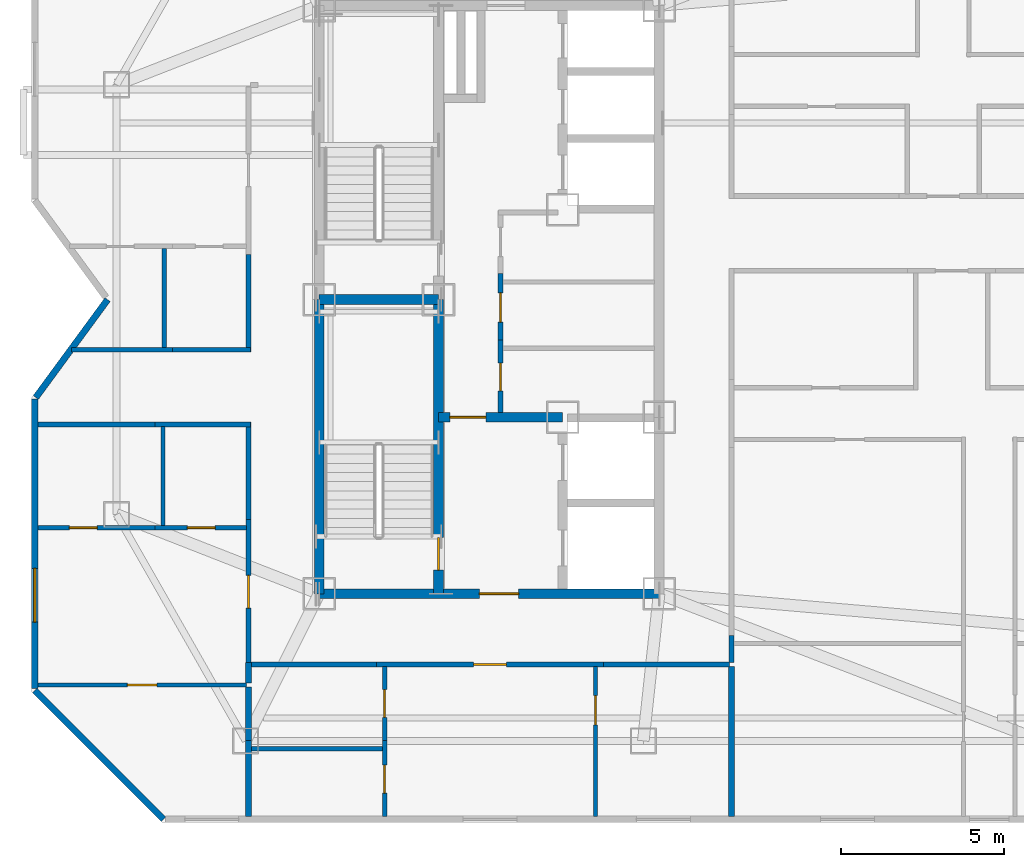
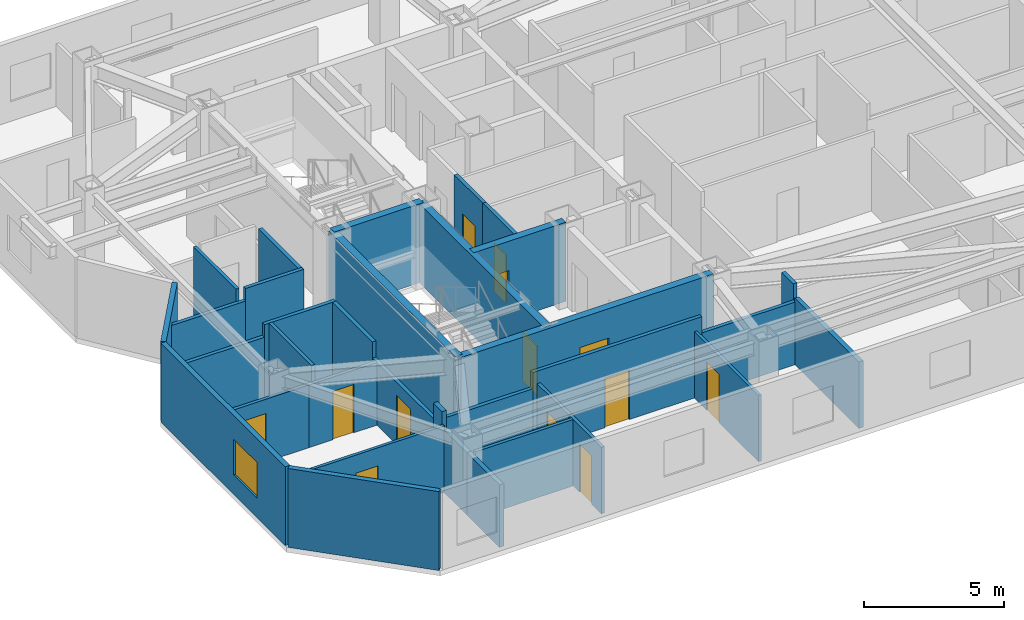
# One storey, part 4 of 9: 34 walls, 13 doors, 1 window, 14 openings.
"""IFC4 building model written with IfcOpenShell, lengths in metres."""

from ifc_helpers import new_model, si_unit, direction, frame, frame_2d, origin, place, context, subcontext, project, spatial, rectangle, extrude, material, layer, layer_set, type_object, element, fill, save


model = new_model("IFC4")

# Units and contexts
model_context = context("Model", 3, precision=1e-05, world=origin(), true_north=direction((0.0, 1.0)))
body_context = subcontext(model_context, "Body", "Model", "MODEL_VIEW")
ifc_project = project(units=[si_unit("LENGTHUNIT", "METRE"), si_unit("AREAUNIT", "SQUARE_METRE"), si_unit("VOLUMEUNIT", "CUBIC_METRE"), si_unit("PLANEANGLEUNIT", "RADIAN"), si_unit("MASSUNIT", "GRAM", prefix="KILO")], contexts=[model_context])

# Site, building, storey
site_placement = place(None, origin())
site = spatial("IfcSite", under=ifc_project, at=site_placement, CompositionType="ELEMENT")
building_placement = place(site_placement, origin())
building = spatial("IfcBuilding", under=site, at=building_placement, Name="Khamvora Tower", CompositionType="ELEMENT")
storey_placement = place(building_placement, frame((0.0, 0.0, 235.449951171875)))
storey = spatial("IfcBuildingStorey", under=building, at=storey_placement, Name="L60", CompositionType="ELEMENT", Elevation=235.449951171875)

# Wall
ifc_material_1 = material(Name="Concrete C50/60", Category="concrete")
ifc_layer_1 = layer(ifc_material_1, 0.300048828125)
ifc_layer_set_1 = layer_set([ifc_layer_1], Name="Concrete C50/60")
wall_type_1 = type_object("IfcWallType", Name="WAL-CORE-300", PredefinedType="SHEAR", material=ifc_layer_set_1)
wall_1_placement = place(storey_placement, frame((29.0, 19.0, 0.0), z_axis=(0.0, 0.0, 1.0), x_axis=(0.0, 1.0, 0.0)))
element("IfcWall", 1, at=wall_1_placement, inside=storey, type_object=wall_type_1, Name="L60 central core west south wall", PredefinedType="SHEAR", context=body_context, shape_type="SweptSolid", body=[
    extrude(rectangle(XDim=9.0, YDim=0.300048828125, at=frame_2d((4.5, 0.0))), origin(), (0.0, 0.0, 1.0), 3.429931640625),
])

# Wall, opening, door
wall_2_placement = place(storey_placement, frame((29.0, 19.0, 0.0), z_axis=(0.0, 0.0, 1.0), x_axis=(1.0, 0.0, 0.0)))
wall_2 = element("IfcWall", 2, at=wall_2_placement, inside=storey, type_object=wall_type_1, Name="L60 central core south wall", PredefinedType="SHEAR", context=body_context, shape_type="SweptSolid", body=[
    extrude(rectangle(XDim=10.39990234375, YDim=0.300048828125, at=frame_2d((5.199951171875, 0.0))), origin(), (0.0, 0.0, 1.0), 3.429931640625),
])
opening_1_placement = place(wall_2_placement, frame((4.89990234375, 0.0, 0.0)))
opening_1 = element("IfcOpeningElement", 3, at=opening_1_placement, cuts=wall_2, Name="Opening D-CR1", PredefinedType="OPENING", context=body_context, shape_type="SweptSolid", body=[
    extrude(rectangle(XDim=1.199951171875, YDim=2.14990234375, at=frame_2d((0.60009765625, 1.074951171875))), frame((0.0, 0.159912109375, 0.0), z_axis=(0.0, -1.0, 0.0), x_axis=(1.0, 0.0, 0.0)), (0.0, 0.0, 1.0), 0.320068359375),
])
ifc_material_2 = material(Name="Powder-Coated Steel and Hardwood Leaf", Category="steel")
door_type_1 = type_object("IfcDoorType", Name="DOR-CORR-1200", OperationType="NOTDEFINED", PredefinedType="DOOR", material=ifc_material_2)
door_1_placement = place(opening_1_placement, origin())
door_1 = element("IfcDoor", 4, at=door_1_placement, inside=storey, type_object=door_type_1, Name="L60 south core lobby to corridor fire door", OperationType="SINGLE_SWING_RIGHT", OverallHeight=2.14990234375, OverallWidth=1.199951171875, PredefinedType="DOOR", context=body_context, shape_type="SweptSolid", body=[
    extrude(rectangle(XDim=1.199951171875, YDim=2.14990234375, at=frame_2d((0.60009765625, 1.074951171875))), frame((0.0, 0.02490234375, 0.0), z_axis=(0.0, -1.0, 0.0), x_axis=(1.0, 0.0, 0.0)), (0.0, 0.0, 1.0), 0.050048828125),
])
fill(opening_1, door_1)

wall_3_placement = place(storey_placement, frame((32.64990234375, 19.0, 0.0), z_axis=(0.0, 0.0, 1.0), x_axis=(0.0, 1.0, 0.0)))
wall_3 = element("IfcWall", 5, at=wall_3_placement, inside=storey, type_object=wall_type_1, Name="L60 central core stair south spine wall", PredefinedType="SHEAR", context=body_context, shape_type="SweptSolid", body=[
    extrude(rectangle(XDim=9.0, YDim=0.300048828125, at=frame_2d((4.5, 0.0))), origin(), (0.0, 0.0, 1.0), 3.429931640625),
])
opening_2_placement = place(wall_3_placement, frame((0.719970703125, 0.0, 0.0)))
opening_2 = element("IfcOpeningElement", 6, at=opening_2_placement, cuts=wall_3, Name="Opening D-ST1", PredefinedType="OPENING", context=body_context, shape_type="SweptSolid", body=[
    extrude(rectangle(XDim=1.0, YDim=2.14990234375, at=frame_2d((0.5, 1.074951171875))), frame((0.0, 0.159912109375, 0.0), z_axis=(0.0, -1.0, 0.0), x_axis=(1.0, 0.0, 0.0)), (0.0, 0.0, 1.0), 0.320068359375),
])
door_type_2 = type_object("IfcDoorType", Name="DOR-STAIR-1000", OperationType="NOTDEFINED", PredefinedType="DOOR", material=ifc_material_2)
door_2_placement = place(opening_2_placement, origin())
door_2 = element("IfcDoor", 7, at=door_2_placement, inside=storey, type_object=door_type_2, Name="L60 exit stair ST-01 fire door", OperationType="SINGLE_SWING_RIGHT", OverallHeight=2.14990234375, OverallWidth=1.0, PredefinedType="DOOR", context=body_context, shape_type="SweptSolid", body=[
    extrude(rectangle(XDim=1.0, YDim=2.14990234375, at=frame_2d((0.5, 1.074951171875))), frame((0.0, 0.02490234375, 0.0), z_axis=(0.0, -1.0, 0.0), x_axis=(1.0, 0.0, 0.0)), (0.0, 0.0, 1.0), 0.050048828125),
])
fill(opening_2, door_2)

# Wall
wall_4_placement = place(storey_placement, frame((29.0, 28.0, 0.0), z_axis=(0.0, 0.0, 1.0), x_axis=(1.0, 0.0, 0.0)))
element("IfcWall", 8, at=wall_4_placement, inside=storey, type_object=wall_type_1, Name="L60 central core stair cross wall", PredefinedType="SHEAR", context=body_context, shape_type="SweptSolid", body=[
    extrude(rectangle(XDim=3.64990234375, YDim=0.300048828125, at=frame_2d((1.824951171875, 0.0))), origin(), (0.0, 0.0, 1.0), 3.429931640625),
])

# Wall, opening, door
wall_5_placement = place(storey_placement, frame((32.64990234375, 24.39990234375, 0.0), z_axis=(0.0, 0.0, 1.0), x_axis=(1.0, 0.0, 0.0)))
wall_5 = element("IfcWall", 9, at=wall_5_placement, inside=storey, type_object=wall_type_1, Name="L60 central core firefighting lobby north wall", PredefinedType="SHEAR", context=body_context, shape_type="SweptSolid", body=[
    extrude(rectangle(XDim=3.800048828125, YDim=0.300048828125, at=frame_2d((1.89990234375, 0.0))), origin(), (0.0, 0.0, 1.0), 3.429931640625),
])
opening_3_placement = place(wall_5_placement, frame((0.35009765625, 0.0, 0.0)))
opening_3 = element("IfcOpeningElement", 10, at=opening_3_placement, cuts=wall_5, Name="Opening D-FF1", PredefinedType="OPENING", context=body_context, shape_type="SweptSolid", body=[
    extrude(rectangle(XDim=1.10009765625, YDim=2.14990234375, at=frame_2d((0.550048828125, 1.074951171875))), frame((0.0, 0.159912109375, 0.0), z_axis=(0.0, -1.0, 0.0), x_axis=(1.0, 0.0, 0.0)), (0.0, 0.0, 1.0), 0.320068359375),
])
door_type_3 = type_object("IfcDoorType", Name="DOR-FFLOB-1100", OperationType="NOTDEFINED", PredefinedType="DOOR", material=ifc_material_2)
door_3_placement = place(opening_3_placement, origin())
door_3 = element("IfcDoor", 11, at=door_3_placement, inside=storey, type_object=door_type_3, Name="L60 firefighting lobby smoke-seal fire door", OperationType="SINGLE_SWING_LEFT", OverallHeight=2.14990234375, OverallWidth=1.10009765625, PredefinedType="DOOR", context=body_context, shape_type="SweptSolid", body=[
    extrude(rectangle(XDim=1.10009765625, YDim=2.14990234375, at=frame_2d((0.550048828125, 1.074951171875))), frame((0.0, 0.02490234375, 0.0), z_axis=(0.0, -1.0, 0.0), x_axis=(1.0, 0.0, 0.0)), (0.0, 0.0, 1.0), 0.050048828125),
])
fill(opening_3, door_3)

ifc_material_3 = material(Name="Fire-Rated Drywall and Steel Stud", Category="steel")
ifc_layer_2 = layer(ifc_material_3, 0.14990234375)
ifc_layer_set_2 = layer_set([ifc_layer_2], Name="Fire-Rated Drywall and Steel Stud")
wall_type_2 = type_object("IfcWallType", Name="WAL-CORR-150", PredefinedType="STANDARD", material=ifc_layer_set_2)
wall_6_placement = place(storey_placement, frame((34.544921875, 26.763916015625, 0.0), z_axis=(0.0, 0.0, 1.0), x_axis=(0.0, -1.0, 0.0)))
wall_6 = element("IfcWall", 12, at=wall_6_placement, inside=storey, type_object=wall_type_2, Name="L60 interior partition wall 001", PredefinedType="STANDARD", context=body_context, shape_type="SweptSolid", body=[
    extrude(rectangle(XDim=2.219970703125, YDim=0.14990234375, at=frame_2d((1.10986328125, 0.0))), origin(), (0.0, 0.0, 1.0), 3.429931640625),
])
opening_4_placement = place(wall_6_placement, frame((0.7060546875, 0.0, 0.0)))
opening_4 = element("IfcOpeningElement", 13, at=opening_4_placement, cuts=wall_6, Name="Opening D-WC1", PredefinedType="OPENING", context=body_context, shape_type="SweptSolid", body=[
    extrude(rectangle(XDim=0.85009765625, YDim=2.10009765625, at=frame_2d((0.425048828125, 1.050048828125))), frame((0.0, 0.0849609375, 0.0), z_axis=(0.0, -1.0, 0.0), x_axis=(1.0, 0.0, 0.0)), (0.0, 0.0, 1.0), 0.169921875),
])
door_type_4 = type_object("IfcDoorType", Name="DOR-WET-850", OperationType="NOTDEFINED", PredefinedType="DOOR", material=ifc_material_2)
door_4_placement = place(opening_4_placement, origin())
door_4 = element("IfcDoor", 14, at=door_4_placement, inside=storey, type_object=door_type_4, Name="L60 interior door PHL-CS1", OperationType="SINGLE_SWING_RIGHT", OverallHeight=2.10009765625, OverallWidth=0.85009765625, PredefinedType="DOOR", context=body_context, shape_type="SweptSolid", body=[
    extrude(rectangle(XDim=0.85009765625, YDim=2.10009765625, at=frame_2d((0.425048828125, 1.050048828125))), frame((0.0, 0.02490234375, 0.0), z_axis=(0.0, -1.0, 0.0), x_axis=(1.0, 0.0, 0.0)), (0.0, 0.0, 1.0), 0.050048828125),
])
fill(opening_4, door_4)

wall_7_placement = place(storey_placement, frame((34.544921875, 28.7939453125, 0.0), z_axis=(0.0, 0.0, 1.0), x_axis=(0.0, -1.0, 0.0)))
wall_7 = element("IfcWall", 15, at=wall_7_placement, inside=storey, type_object=wall_type_2, Name="L60 interior partition wall 002", PredefinedType="STANDARD", context=body_context, shape_type="SweptSolid", body=[
    extrude(rectangle(XDim=2.030029296875, YDim=0.14990234375, at=frame_2d((1.01513671875, 0.0))), origin(), (0.0, 0.0, 1.0), 3.429931640625),
])
opening_5_placement = place(wall_7_placement, frame((0.5859375, 0.0, 0.0)))
opening_5 = element("IfcOpeningElement", 16, at=opening_5_placement, cuts=wall_7, Name="Opening D-RM1", PredefinedType="OPENING", context=body_context, shape_type="SweptSolid", body=[
    extrude(rectangle(XDim=0.89990234375, YDim=2.10009765625, at=frame_2d((0.449951171875, 1.050048828125))), frame((0.0, 0.0849609375, 0.0), z_axis=(0.0, -1.0, 0.0), x_axis=(1.0, 0.0, 0.0)), (0.0, 0.0, 1.0), 0.169921875),
])
door_type_5 = type_object("IfcDoorType", Name="DOR-ROOM-900", OperationType="NOTDEFINED", PredefinedType="DOOR", material=ifc_material_2)
door_5_placement = place(opening_5_placement, origin())
door_5 = element("IfcDoor", 17, at=door_5_placement, inside=storey, type_object=door_type_5, Name="L60 interior door PHL-CS2", OperationType="SINGLE_SWING_LEFT", OverallHeight=2.10009765625, OverallWidth=0.89990234375, PredefinedType="DOOR", context=body_context, shape_type="SweptSolid", body=[
    extrude(rectangle(XDim=0.89990234375, YDim=2.10009765625, at=frame_2d((0.449951171875, 1.050048828125))), frame((0.0, 0.02490234375, 0.0), z_axis=(0.0, -1.0, 0.0), x_axis=(1.0, 0.0, 0.0)), (0.0, 0.0, 1.0), 0.050048828125),
])
fill(opening_5, door_5)

wall_8_placement = place(storey_placement, frame((26.8349609375, 16.89990234375, 0.0), z_axis=(0.0, 0.0, 1.0), x_axis=(0.0, 1.0, 0.0)))
wall_8 = element("IfcWall", 18, at=wall_8_placement, inside=storey, type_object=wall_type_2, Name="L60 interior partition wall 008", PredefinedType="STANDARD", context=body_context, shape_type="SweptSolid", body=[
    extrude(rectangle(XDim=4.369140625, YDim=0.14990234375, at=frame_2d((2.1845703125, 0.0))), origin(), (0.0, 0.0, 1.0), 2.72509765625),
])
opening_6_placement = place(wall_8_placement, frame((1.6630859375, 0.0, 0.0)))
opening_6 = element("IfcOpeningElement", 19, at=opening_6_placement, cuts=wall_8, Name="Opening D-U1", PredefinedType="OPENING", context=body_context, shape_type="SweptSolid", body=[
    extrude(rectangle(XDim=1.0, YDim=2.14990234375, at=frame_2d((0.5, 1.074951171875))), frame((0.0, 0.0849609375, 0.0), z_axis=(0.0, -1.0, 0.0), x_axis=(1.0, 0.0, 0.0)), (0.0, 0.0, 1.0), 0.169921875),
])
door_type_6 = type_object("IfcDoorType", Name="DOR-UNIT-1000", OperationType="NOTDEFINED", PredefinedType="DOOR", material=ifc_material_2)
door_6_placement = place(opening_6_placement, origin())
door_6 = element("IfcDoor", 20, at=door_6_placement, inside=storey, type_object=door_type_6, Name="L60 interior door COR-60WAH", OperationType="SINGLE_SWING_RIGHT", OverallHeight=2.14990234375, OverallWidth=1.0, PredefinedType="DOOR", context=body_context, shape_type="SweptSolid", body=[
    extrude(rectangle(XDim=1.0, YDim=2.14990234375, at=frame_2d((0.5, 1.074951171875))), frame((0.0, 0.02490234375, 0.0), z_axis=(0.0, -1.0, 0.0), x_axis=(1.0, 0.0, 0.0)), (0.0, 0.0, 1.0), 0.050048828125),
])
fill(opening_6, door_6)

# Walls
wall_9_placement = place(storey_placement, frame((26.8349609375, 21.26904296875, 0.0), z_axis=(0.0, 0.0, 1.0), x_axis=(0.0, 1.0, 0.0)))
element("IfcWall", 21, at=wall_9_placement, inside=storey, type_object=wall_type_2, Name="L60 interior partition wall 009", PredefinedType="STANDARD", context=body_context, shape_type="SweptSolid", body=[
    extrude(rectangle(XDim=2.98095703125, YDim=0.14990234375, at=frame_2d((1.490478515625, 0.0))), origin(), (0.0, 0.0, 1.0), 3.429931640625),
])
wall_10_placement = place(storey_placement, frame((26.89794921875, 24.18505859375, 0.0), z_axis=(0.0, 0.0, 1.0), x_axis=(-1.0, 0.0, 0.0)))
element("IfcWall", 22, at=wall_10_placement, inside=storey, type_object=wall_type_2, Name="L60 interior partition wall 010", PredefinedType="STANDARD", context=body_context, shape_type="SweptSolid", body=[
    extrude(rectangle(XDim=2.927001953125, YDim=0.14990234375, at=frame_2d((1.46337890625, 0.0))), origin(), (0.0, 0.0, 1.0), 3.429931640625),
])
wall_11_placement = place(storey_placement, frame((23.970947265625, 24.18505859375, 0.0), z_axis=(0.0, 0.0, 1.0), x_axis=(-1.0, 0.0, 0.0)))
element("IfcWall", 23, at=wall_11_placement, inside=storey, type_object=wall_type_2, Name="L60 interior partition wall 011", PredefinedType="STANDARD", context=body_context, shape_type="SweptSolid", body=[
    extrude(rectangle(XDim=3.578857421875, YDim=0.14990234375, at=frame_2d((1.78955078125, 0.0))), origin(), (0.0, 0.0, 1.0), 2.886962890625),
])
wall_12_placement = place(storey_placement, frame((21.427001953125, 26.465087890625, 0.0), z_axis=(0.0, 0.0, 1.0), x_axis=(1.0, 0.0, 0.0)))
element("IfcWall", 24, at=wall_12_placement, inside=storey, type_object=wall_type_2, Name="L60 interior partition wall 014", PredefinedType="STANDARD", context=body_context, shape_type="SweptSolid", body=[
    extrude(rectangle(XDim=3.08203125, YDim=0.14990234375, at=frame_2d((1.541015625, 0.0))), origin(), (0.0, 0.0, 1.0), 2.886962890625),
])
wall_13_placement = place(storey_placement, frame((24.509033203125, 26.465087890625, 0.0), z_axis=(0.0, 0.0, 1.0), x_axis=(1.0, 0.0, 0.0)))
element("IfcWall", 25, at=wall_13_placement, inside=storey, type_object=wall_type_2, Name="L60 interior partition wall 015", PredefinedType="STANDARD", context=body_context, shape_type="SweptSolid", body=[
    extrude(rectangle(XDim=2.390869140625, YDim=0.14990234375, at=frame_2d((1.1953125, 0.0))), origin(), (0.0, 0.0, 1.0), 3.429931640625),
])
wall_14_placement = place(storey_placement, frame((26.8349609375, 26.39990234375, 0.0), z_axis=(0.0, 0.0, 1.0), x_axis=(0.0, 1.0, 0.0)))
element("IfcWall", 26, at=wall_14_placement, inside=storey, type_object=wall_type_2, Name="L60 interior partition wall 016", PredefinedType="STANDARD", context=body_context, shape_type="SweptSolid", body=[
    extrude(rectangle(XDim=2.981201171875, YDim=0.14990234375, at=frame_2d((1.49072265625, 0.0))), origin(), (0.0, 0.0, 1.0), 3.429931640625),
])

# Wall, opening, door
wall_15_placement = place(storey_placement, frame((37.698974609375, 16.8349609375, 0.0), z_axis=(0.0, 0.0, 1.0), x_axis=(-1.0, 0.0, 0.0)))
wall_15 = element("IfcWall", 27, at=wall_15_placement, inside=storey, type_object=wall_type_2, Name="L60 interior partition wall 017", PredefinedType="STANDARD", context=body_context, shape_type="SweptSolid", body=[
    extrude(rectangle(XDim=6.947998046875, YDim=0.14990234375, at=frame_2d((3.47412109375, 0.0))), origin(), (0.0, 0.0, 1.0), 3.429931640625),
])
opening_7_placement = place(wall_15_placement, frame((2.97412109375, 0.0, 0.0)))
opening_7 = element("IfcOpeningElement", 28, at=opening_7_placement, cuts=wall_15, Name="Opening D-U1", PredefinedType="OPENING", context=body_context, shape_type="SweptSolid", body=[
    extrude(rectangle(XDim=1.0, YDim=2.14990234375, at=frame_2d((0.5, 1.074951171875))), frame((0.0, 0.0849609375, 0.0), z_axis=(0.0, -1.0, 0.0), x_axis=(1.0, 0.0, 0.0)), (0.0, 0.0, 1.0), 0.169921875),
])
door_7_placement = place(opening_7_placement, origin())
door_7 = element("IfcDoor", 29, at=door_7_placement, inside=storey, type_object=door_type_6, Name="L60 interior door COR-60SAH", OperationType="SINGLE_SWING_RIGHT", OverallHeight=2.14990234375, OverallWidth=1.0, PredefinedType="DOOR", context=body_context, shape_type="SweptSolid", body=[
    extrude(rectangle(XDim=1.0, YDim=2.14990234375, at=frame_2d((0.5, 1.074951171875))), frame((0.0, 0.02490234375, 0.0), z_axis=(0.0, -1.0, 0.0), x_axis=(1.0, 0.0, 0.0)), (0.0, 0.0, 1.0), 0.050048828125),
])
fill(opening_7, door_7)

# Walls
for number, where, z_axis, x_axis, name in (
    (30, (30.7509765625, 16.8349609375, 0.0), (0.0, 0.0, 1.0), (-1.0, 0.0, 0.0), "L60 interior partition wall 018"),
    (31, (41.550048828125, 16.8349609375, 0.0), (0.0, 0.0, 1.0), (-1.0, 0.0, 0.0), "L60 interior partition wall 019"),
):
    element("IfcWall", number, at=place(storey_placement, frame(where, z_axis=z_axis, x_axis=x_axis)), inside=storey, type_object=wall_type_2, Name=name, PredefinedType="STANDARD", context=body_context, shape_type="SweptSolid", body=[
        extrude(rectangle(XDim=3.85107421875, YDim=0.14990234375, at=frame_2d((1.925537109375, 0.0))), origin(), (0.0, 0.0, 1.0), 2.72509765625),
    ])
wall_16_placement = place(storey_placement, frame((41.614990234375, 17.72412109375, 0.0), z_axis=(0.0, 0.0, 1.0), x_axis=(0.0, -1.0, 0.0)))
element("IfcWall", 32, at=wall_16_placement, inside=storey, type_object=wall_type_2, Name="L60 interior partition wall 025", PredefinedType="STANDARD", context=body_context, shape_type="SweptSolid", body=[
    extrude(rectangle(XDim=0.82421875, YDim=0.14990234375, at=frame_2d((0.412109375, 0.0))), origin(), (0.0, 0.0, 1.0), 3.429931640625),
])
ifc_material_4 = material(Name="Acoustic Double-Stud Fire Wall", Category="gypsum")
ifc_layer_3 = layer(ifc_material_4, 0.179931640625)
ifc_layer_set_3 = layer_set([ifc_layer_3], Name="Acoustic Double-Stud Fire Wall")
wall_type_3 = type_object("IfcWallType", Name="WAL-CORR-180", PredefinedType="STANDARD", material=ifc_layer_set_3)
wall_17_placement = place(storey_placement, frame((26.8349609375, 16.89990234375, 0.0), z_axis=(0.0, 0.0, 1.0), x_axis=(0.0, -1.0, 0.0)))
element("IfcWall", 33, at=wall_17_placement, inside=storey, type_object=wall_type_3, Name="L60 interior partition wall 044", PredefinedType="STANDARD", context=body_context, shape_type="SweptSolid", body=[
    extrude(rectangle(XDim=0.625, YDim=0.179931640625, at=frame_2d((0.3125, 0.0))), origin(), (0.0, 0.0, 1.0), 3.429931640625),
])
wall_18_placement = place(storey_placement, frame((26.8349609375, 14.509033203125, 0.0), z_axis=(0.0, 0.0, 1.0), x_axis=(0.0, -1.0, 0.0)))
element("IfcWall", 34, at=wall_18_placement, inside=storey, type_object=wall_type_3, Name="L60 interior partition wall 046", PredefinedType="STANDARD", context=body_context, shape_type="SweptSolid", body=[
    extrude(rectangle(XDim=2.317138671875, YDim=0.179931640625, at=frame_2d((1.15869140625, 0.0))), origin(), (0.0, 0.0, 1.0), 2.72509765625),
])
wall_19_placement = place(storey_placement, frame((26.8349609375, 16.14501953125, 0.0), z_axis=(0.0, 0.0, 1.0), x_axis=(0.0, -1.0, 0.0)))
element("IfcWall", 35, at=wall_19_placement, inside=storey, type_object=wall_type_3, Name="L60 interior partition wall 047", PredefinedType="STANDARD", context=body_context, shape_type="SweptSolid", body=[
    extrude(rectangle(XDim=1.635986328125, YDim=0.179931640625, at=frame_2d((0.81787109375, 0.0))), origin(), (0.0, 0.0, 1.0), 2.72509765625),
])
wall_20_placement = place(storey_placement, frame((41.614990234375, 16.77001953125, 0.0), z_axis=(0.0, 0.0, 1.0), x_axis=(0.0, -1.0, 0.0)))
element("IfcWall", 36, at=wall_20_placement, inside=storey, type_object=wall_type_3, Name="L60 interior partition wall 056", PredefinedType="STANDARD", context=body_context, shape_type="SweptSolid", body=[
    extrude(rectangle(XDim=4.578125, YDim=0.179931640625, at=frame_2d((2.2890625, 0.0))), origin(), (0.0, 0.0, 1.0), 2.886962890625),
])
ifc_material_5 = material(Name="Precast concrete C40/50", Category="concrete")
ifc_layer_4 = layer(ifc_material_5, 0.199951171875)
ifc_layer_set_4 = layer_set([ifc_layer_4], Name="Precast concrete C40/50")
wall_type_4 = type_object("IfcWallType", Name="WAL-EXT-200", PredefinedType="STANDARD", material=ifc_layer_set_4)
wall_21_placement = place(storey_placement, frame((24.240966796875, 12.10009765625, 0.0), z_axis=(0.0, 0.0, 1.0), x_axis=(-0.707106781187, 0.707106781187, 0.0)))
element("IfcWall", 37, at=wall_21_placement, inside=storey, type_object=wall_type_4, Name="L60 exterior facade wall 01.1", PredefinedType="STANDARD", context=body_context, shape_type="SweptSolid", body=[
    extrude(rectangle(XDim=5.5732421875, YDim=0.199951171875, at=frame_2d((2.78662109375, 0.0))), origin(), (0.0, 0.0, 1.0), 3.429931640625),
])

# Wall, opening, window
wall_22_placement = place(storey_placement, frame((20.300048828125, 16.10400390625, 0.0), z_axis=(0.0, 0.0, 1.0), x_axis=(0.0, 1.0, 0.0)))
wall_22 = element("IfcWall", 38, at=wall_22_placement, inside=storey, type_object=wall_type_4, Name="L60 exterior facade wall 02.1", PredefinedType="STANDARD", context=body_context, shape_type="SweptSolid", body=[
    extrude(rectangle(XDim=8.863037109375, YDim=0.199951171875, at=frame_2d((4.431640625, 0.0))), origin(), (0.0, 0.0, 1.0), 3.429931640625),
])
opening_8_placement = place(wall_22_placement, frame((2.02490234375, 0.0, 0.85009765625)))
opening_8 = element("IfcOpeningElement", 39, at=opening_8_placement, cuts=wall_22, Name="Opening WN-06", PredefinedType="OPENING", context=body_context, shape_type="SweptSolid", body=[
    extrude(rectangle(XDim=1.64990234375, YDim=1.550048828125, at=frame_2d((0.824951171875, 0.77490234375))), frame((0.0, 0.10986328125, 0.0), z_axis=(0.0, -1.0, 0.0), x_axis=(1.0, 0.0, 0.0)), (0.0, 0.0, 1.0), 0.219970703125),
])
ifc_material_6 = material(Name="Low-E Laminated Double Glazing", Category="glass")
window_type = type_object("IfcWindowType", Name="WIN-VIS-1650x1550", PartitioningType="SINGLE_PANEL", PredefinedType="WINDOW", material=ifc_material_6)
window_placement = place(opening_8_placement, origin())
window = element("IfcWindow", 40, at=window_placement, inside=storey, type_object=window_type, Name="L60 vision window 02.1.01", OverallHeight=1.550048828125, OverallWidth=1.64990234375, PartitioningType="SINGLE_PANEL", PredefinedType="WINDOW", context=body_context, shape_type="SweptSolid", body=[
    extrude(rectangle(XDim=1.64990234375, YDim=1.550048828125, at=frame_2d((0.824951171875, 0.77490234375))), frame((0.0, 0.030029296875, 0.0), z_axis=(0.0, -1.0, 0.0), x_axis=(1.0, 0.0, 0.0)), (0.0, 0.0, 1.0), 0.06005859375),
])
fill(opening_8, window)

# Wall
wall_23_placement = place(storey_placement, frame((20.3291015625, 25.007080078125, 0.0), z_axis=(0.0, 0.0, 1.0), x_axis=(0.591366515379, 0.806402904564, 0.0)))
element("IfcWall", 41, at=wall_23_placement, inside=storey, type_object=wall_type_4, Name="L60 exterior facade wall 03.1", PredefinedType="STANDARD", context=body_context, shape_type="SweptSolid", body=[
    extrude(rectangle(XDim=3.71142578125, YDim=0.199951171875, at=frame_2d((1.855712890625, 0.0))), origin(), (0.0, 0.0, 1.0), 3.429931640625),
])

# Wall, opening, door
ifc_material_7 = material(Name="Gypsum Plasterboard Partition", Category="gypsum")
ifc_layer_5 = layer(ifc_material_7, 0.1201171875)
ifc_layer_set_5 = layer_set([ifc_layer_5], Name="Gypsum Plasterboard Partition")
wall_type_5 = type_object("IfcWallType", Name="WAL-PART-120", PredefinedType="PARTITIONING", material=ifc_layer_set_5)
wall_24_placement = place(storey_placement, frame((26.77001953125, 16.2099609375, 0.0), z_axis=(0.0, 0.0, 1.0), x_axis=(-1.0, 0.0, 0.0)))
wall_24 = element("IfcWall", 42, at=wall_24_placement, inside=storey, type_object=wall_type_5, Name="L60 interior partition wall 043", PredefinedType="PARTITIONING", context=body_context, shape_type="SweptSolid", body=[
    extrude(rectangle(XDim=6.3779296875, YDim=0.1201171875, at=frame_2d((3.18896484375, 0.0))), origin(), (0.0, 0.0, 1.0), 2.886962890625),
])
opening_9_placement = place(wall_24_placement, frame((2.739013671875, 0.0, 0.0)))
opening_9 = element("IfcOpeningElement", 43, at=opening_9_placement, cuts=wall_24, Name="Opening D-RM1", PredefinedType="OPENING", context=body_context, shape_type="SweptSolid", body=[
    extrude(rectangle(XDim=0.89990234375, YDim=2.10009765625, at=frame_2d((0.449951171875, 1.050048828125))), frame((0.0, 0.070068359375, 0.0), z_axis=(0.0, -1.0, 0.0), x_axis=(1.0, 0.0, 0.0)), (0.0, 0.0, 1.0), 0.14013671875),
])
door_8_placement = place(opening_9_placement, origin())
door_8 = element("IfcDoor", 44, at=door_8_placement, inside=storey, type_object=door_type_5, Name="L60 interior door 60WAH-60WAR1", OperationType="SINGLE_SWING_RIGHT", OverallHeight=2.10009765625, OverallWidth=0.89990234375, PredefinedType="DOOR", context=body_context, shape_type="SweptSolid", body=[
    extrude(rectangle(XDim=0.89990234375, YDim=2.10009765625, at=frame_2d((0.449951171875, 1.050048828125))), frame((0.0, 0.02490234375, 0.0), z_axis=(0.0, -1.0, 0.0), x_axis=(1.0, 0.0, 0.0)), (0.0, 0.0, 1.0), 0.050048828125),
])
fill(opening_9, door_8)

wall_25_placement = place(storey_placement, frame((37.449951171875, 16.77001953125, 0.0), z_axis=(0.0, 0.0, 1.0), x_axis=(0.0, -1.0, 0.0)))
wall_25 = element("IfcWall", 45, at=wall_25_placement, inside=storey, type_object=wall_type_5, Name="L60 interior partition wall 054", PredefinedType="PARTITIONING", context=body_context, shape_type="SweptSolid", body=[
    extrude(rectangle(XDim=4.578125, YDim=0.1201171875, at=frame_2d((2.2890625, 0.0))), origin(), (0.0, 0.0, 1.0), 2.886962890625),
])
opening_10_placement = place(wall_25_placement, frame((0.884033203125, 0.0, 0.0)))
opening_10 = element("IfcOpeningElement", 46, at=opening_10_placement, cuts=wall_25, Name="Opening D-RM1", PredefinedType="OPENING", context=body_context, shape_type="SweptSolid", body=[
    extrude(rectangle(XDim=0.89990234375, YDim=2.10009765625, at=frame_2d((0.449951171875, 1.050048828125))), frame((0.0, 0.070068359375, 0.0), z_axis=(0.0, -1.0, 0.0), x_axis=(1.0, 0.0, 0.0)), (0.0, 0.0, 1.0), 0.14013671875),
])
door_9_placement = place(opening_10_placement, origin())
door_9 = element("IfcDoor", 47, at=door_9_placement, inside=storey, type_object=door_type_5, Name="L60 interior door 60SAH-60SAR1", OperationType="SINGLE_SWING_LEFT", OverallHeight=2.10009765625, OverallWidth=0.89990234375, PredefinedType="DOOR", context=body_context, shape_type="SweptSolid", body=[
    extrude(rectangle(XDim=0.89990234375, YDim=2.10009765625, at=frame_2d((0.449951171875, 1.050048828125))), frame((0.0, 0.02490234375, 0.0), z_axis=(0.0, -1.0, 0.0), x_axis=(1.0, 0.0, 0.0)), (0.0, 0.0, 1.0), 0.050048828125),
])
fill(opening_10, door_9)

ifc_material_8 = material(Name="Moisture-Resistant Plasterboard Partition", Category="gypsum")
ifc_layer_6 = layer(ifc_material_8, 0.135009765625)
ifc_layer_set_6 = layer_set([ifc_layer_6], Name="Moisture-Resistant Plasterboard Partition")
wall_type_6 = type_object("IfcWallType", Name="WAL-WET-135", PredefinedType="PARTITIONING", material=ifc_layer_set_6)
wall_26_placement = place(storey_placement, frame((23.970947265625, 21.02001953125, 0.0), z_axis=(0.0, 0.0, 1.0), x_axis=(1.0, 0.0, 0.0)))
wall_26 = element("IfcWall", 48, at=wall_26_placement, inside=storey, type_object=wall_type_6, Name="L60 interior partition wall 041", PredefinedType="PARTITIONING", context=body_context, shape_type="SweptSolid", body=[
    extrude(rectangle(XDim=2.799072265625, YDim=0.135009765625, at=frame_2d((1.3994140625, 0.0))), origin(), (0.0, 0.0, 1.0), 2.72509765625),
])
opening_11_placement = place(wall_26_placement, frame((0.9951171875, 0.0, 0.0)))
opening_11 = element("IfcOpeningElement", 49, at=opening_11_placement, cuts=wall_26, Name="Opening D-WC1", PredefinedType="OPENING", context=body_context, shape_type="SweptSolid", body=[
    extrude(rectangle(XDim=0.85009765625, YDim=2.10009765625, at=frame_2d((0.425048828125, 1.050048828125))), frame((0.0, 0.077392578125, 0.0), z_axis=(0.0, -1.0, 0.0), x_axis=(1.0, 0.0, 0.0)), (0.0, 0.0, 1.0), 0.155029296875),
])
door_10_placement = place(opening_11_placement, origin())
door_10 = element("IfcDoor", 50, at=door_10_placement, inside=storey, type_object=door_type_4, Name="L60 interior door 60WAH-60WAB", OperationType="SINGLE_SWING_LEFT", OverallHeight=2.10009765625, OverallWidth=0.85009765625, PredefinedType="DOOR", context=body_context, shape_type="SweptSolid", body=[
    extrude(rectangle(XDim=0.85009765625, YDim=2.10009765625, at=frame_2d((0.425048828125, 1.050048828125))), frame((0.0, 0.02490234375, 0.0), z_axis=(0.0, -1.0, 0.0), x_axis=(1.0, 0.0, 0.0)), (0.0, 0.0, 1.0), 0.050048828125),
])
fill(opening_11, door_10)

wall_27_placement = place(storey_placement, frame((20.39208984375, 21.02001953125, 0.0), z_axis=(0.0, 0.0, 1.0), x_axis=(1.0, 0.0, 0.0)))
wall_27 = element("IfcWall", 51, at=wall_27_placement, inside=storey, type_object=wall_type_6, Name="L60 interior partition wall 042", PredefinedType="PARTITIONING", context=body_context, shape_type="SweptSolid", body=[
    extrude(rectangle(XDim=3.578857421875, YDim=0.135009765625, at=frame_2d((1.78955078125, 0.0))), origin(), (0.0, 0.0, 1.0), 2.72509765625),
])
opening_12_placement = place(wall_27_placement, frame((0.964111328125, 0.0, 0.0)))
opening_12 = element("IfcOpeningElement", 52, at=opening_12_placement, cuts=wall_27, Name="Opening D-RM2", PredefinedType="OPENING", context=body_context, shape_type="SweptSolid", body=[
    extrude(rectangle(XDim=0.85009765625, YDim=2.10009765625, at=frame_2d((0.425048828125, 1.050048828125))), frame((0.0, 0.077392578125, 0.0), z_axis=(0.0, -1.0, 0.0), x_axis=(1.0, 0.0, 0.0)), (0.0, 0.0, 1.0), 0.155029296875),
])
door_type_7 = type_object("IfcDoorType", Name="DOR-ROOM-850", OperationType="NOTDEFINED", PredefinedType="DOOR", material=ifc_material_2)
door_11_placement = place(opening_12_placement, origin())
door_11 = element("IfcDoor", 53, at=door_11_placement, inside=storey, type_object=door_type_7, Name="L60 interior door 60WAH-60WAK", OperationType="SINGLE_SWING_LEFT", OverallHeight=2.10009765625, OverallWidth=0.85009765625, PredefinedType="DOOR", context=body_context, shape_type="SweptSolid", body=[
    extrude(rectangle(XDim=0.85009765625, YDim=2.10009765625, at=frame_2d((0.425048828125, 1.050048828125))), frame((0.0, 0.02490234375, 0.0), z_axis=(0.0, -1.0, 0.0), x_axis=(1.0, 0.0, 0.0)), (0.0, 0.0, 1.0), 0.050048828125),
])
fill(opening_12, door_11)

# Walls
wall_28_placement = place(storey_placement, frame((24.219970703125, 21.0810546875, 0.0), z_axis=(0.0, 0.0, 1.0), x_axis=(0.0, 1.0, 0.0)))
element("IfcWall", 54, at=wall_28_placement, inside=storey, type_object=wall_type_6, Name="L60 interior partition wall 045", PredefinedType="PARTITIONING", context=body_context, shape_type="SweptSolid", body=[
    extrude(rectangle(XDim=3.036865234375, YDim=0.135009765625, at=frame_2d((1.5185546875, 0.0))), origin(), (0.0, 0.0, 1.0), 3.429931640625),
])
wall_29_placement = place(storey_placement, frame((24.260009765625, 29.569091796875, 0.0), z_axis=(0.0, 0.0, 1.0), x_axis=(0.0, -1.0, 0.0)))
element("IfcWall", 55, at=wall_29_placement, inside=storey, type_object=wall_type_6, Name="L60 interior partition wall 051", PredefinedType="PARTITIONING", context=body_context, shape_type="SweptSolid", body=[
    extrude(rectangle(XDim=3.0390625, YDim=0.135009765625, at=frame_2d((1.51953125, 0.0))), origin(), (0.0, 0.0, 1.0), 3.429931640625),
])

# Wall, opening, door
wall_30_placement = place(storey_placement, frame((31.0, 12.19189453125, 0.0), z_axis=(0.0, 0.0, 1.0), x_axis=(0.0, 1.0, 0.0)))
wall_30 = element("IfcWall", 56, at=wall_30_placement, inside=storey, type_object=wall_type_6, Name="L60 interior partition wall 052", PredefinedType="PARTITIONING", context=body_context, shape_type="SweptSolid", body=[
    extrude(rectangle(XDim=2.317138671875, YDim=0.135009765625, at=frame_2d((1.15869140625, 0.0))), origin(), (0.0, 0.0, 1.0), 2.886962890625),
])
opening_13_placement = place(wall_30_placement, frame((0.7119140625, 0.0, 0.0)))
opening_13 = element("IfcOpeningElement", 57, at=opening_13_placement, cuts=wall_30, Name="Opening D-WC1", PredefinedType="OPENING", context=body_context, shape_type="SweptSolid", body=[
    extrude(rectangle(XDim=0.85009765625, YDim=2.10009765625, at=frame_2d((0.425048828125, 1.050048828125))), frame((0.0, 0.077392578125, 0.0), z_axis=(0.0, -1.0, 0.0), x_axis=(1.0, 0.0, 0.0)), (0.0, 0.0, 1.0), 0.155029296875),
])
door_12_placement = place(opening_13_placement, origin())
door_12 = element("IfcDoor", 58, at=door_12_placement, inside=storey, type_object=door_type_4, Name="L60 interior door 60SAH-60SAB", OperationType="SINGLE_SWING_RIGHT", OverallHeight=2.10009765625, OverallWidth=0.85009765625, PredefinedType="DOOR", context=body_context, shape_type="SweptSolid", body=[
    extrude(rectangle(XDim=0.85009765625, YDim=2.10009765625, at=frame_2d((0.425048828125, 1.050048828125))), frame((0.0, 0.02490234375, 0.0), z_axis=(0.0, -1.0, 0.0), x_axis=(1.0, 0.0, 0.0)), (0.0, 0.0, 1.0), 0.050048828125),
])
fill(opening_13, door_12)

wall_31_placement = place(storey_placement, frame((31.0, 14.509033203125, 0.0), z_axis=(0.0, 0.0, 1.0), x_axis=(0.0, 1.0, 0.0)))
wall_31 = element("IfcWall", 59, at=wall_31_placement, inside=storey, type_object=wall_type_6, Name="L60 interior partition wall 053", PredefinedType="PARTITIONING", context=body_context, shape_type="SweptSolid", body=[
    extrude(rectangle(XDim=2.260986328125, YDim=0.135009765625, at=frame_2d((1.13037109375, 0.0))), origin(), (0.0, 0.0, 1.0), 2.886962890625),
])
opening_14_placement = place(wall_31_placement, frame((0.7060546875, 0.0, 0.0)))
opening_14 = element("IfcOpeningElement", 60, at=opening_14_placement, cuts=wall_31, Name="Opening D-RM2", PredefinedType="OPENING", context=body_context, shape_type="SweptSolid", body=[
    extrude(rectangle(XDim=0.85009765625, YDim=2.10009765625, at=frame_2d((0.425048828125, 1.050048828125))), frame((0.0, 0.077392578125, 0.0), z_axis=(0.0, -1.0, 0.0), x_axis=(1.0, 0.0, 0.0)), (0.0, 0.0, 1.0), 0.155029296875),
])
door_13_placement = place(opening_14_placement, origin())
door_13 = element("IfcDoor", 61, at=door_13_placement, inside=storey, type_object=door_type_7, Name="L60 interior door 60SAH-60SAK", OperationType="SINGLE_SWING_LEFT", OverallHeight=2.10009765625, OverallWidth=0.85009765625, PredefinedType="DOOR", context=body_context, shape_type="SweptSolid", body=[
    extrude(rectangle(XDim=0.85009765625, YDim=2.10009765625, at=frame_2d((0.425048828125, 1.050048828125))), frame((0.0, 0.02490234375, 0.0), z_axis=(0.0, -1.0, 0.0), x_axis=(1.0, 0.0, 0.0)), (0.0, 0.0, 1.0), 0.050048828125),
])
fill(opening_14, door_13)

# Wall
wall_32_placement = place(storey_placement, frame((26.9169921875, 14.260009765625, 0.0), z_axis=(0.0, 0.0, 1.0), x_axis=(1.0, 0.0, 0.0)))
element("IfcWall", 62, at=wall_32_placement, inside=storey, type_object=wall_type_6, Name="L60 interior partition wall 055", PredefinedType="PARTITIONING", context=body_context, shape_type="SweptSolid", body=[
    extrude(rectangle(XDim=4.02197265625, YDim=0.135009765625, at=frame_2d((2.010986328125, 0.0))), origin(), (0.0, 0.0, 1.0), 2.886962890625),
])

save(model, "model.ifc")
